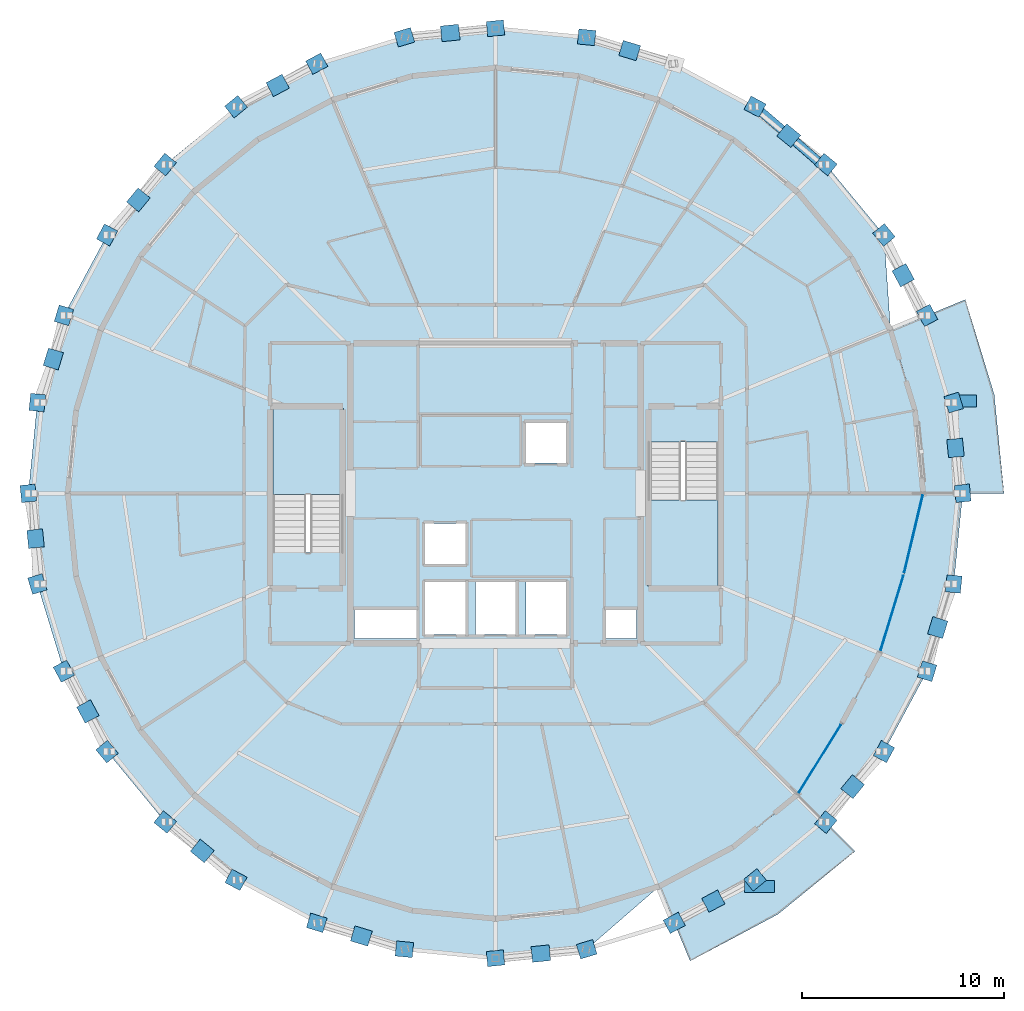
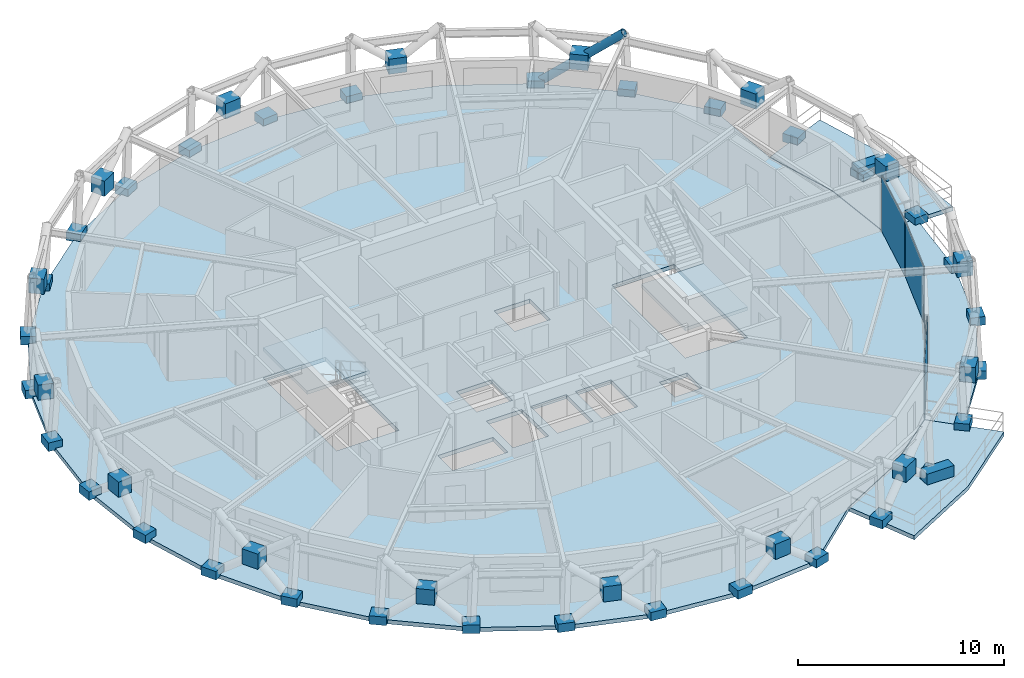
# One storey, part 6 of 12: 52 plates, 6 slabs, 2 members, 4 elements without a shape of their own.
"""IFC4 building model written with IfcOpenShell, lengths in metres."""

from ifc_helpers import new_model, si_unit, direction, frame, origin, origin_2d, place, context, subcontext, project, spatial, polyline, rectangle, hollow_circle, outline, extrude, material, layer, layer_set, material_profile, profile_set, type_object, element, aggregate, save


model = new_model("IFC4")

# Units and contexts
model_context = context("Model", 3, precision=1e-05, world=origin(), true_north=direction((0.0, 1.0)))
body_context = subcontext(model_context, "Body", "Model", "MODEL_VIEW")
ifc_project = project(units=[si_unit("LENGTHUNIT", "METRE"), si_unit("AREAUNIT", "SQUARE_METRE"), si_unit("VOLUMEUNIT", "CUBIC_METRE"), si_unit("PLANEANGLEUNIT", "RADIAN"), si_unit("MASSUNIT", "GRAM", prefix="KILO")], contexts=[model_context])

# Site, building, storey
site_placement = place(None, origin())
site = spatial("IfcSite", under=ifc_project, at=site_placement, CompositionType="ELEMENT")
building_placement = place(site_placement, origin())
building = spatial("IfcBuilding", under=site, at=building_placement, Name="Veldorina Hangang Commons", CompositionType="ELEMENT")
storey_placement = place(building_placement, frame((0.0, 0.0, 247.199951171875)))
storey = spatial("IfcBuildingStorey", under=building, at=storey_placement, Name="L64", CompositionType="ELEMENT", Elevation=247.199951171875)

# Members
ifc_material_1 = material(Name="Steel SM355-TMC", Category="steel")
ifc_material_profile = material_profile(ifc_material_1, hollow_circle(Radius=0.22509765625, WallThickness=0.02197265625, at=origin_2d()), Name="CHS-450x22")
ifc_profile_set = profile_set([ifc_material_profile], Name="Steel SM355-TMC")
member_type = type_object("IfcMemberType", Name="DG-CHS450", PredefinedType="BRACE", material=ifc_profile_set)
member_1_placement = place(storey_placement, frame((44.8779296875, 43.181884765625, 0.0), z_axis=(0.587154549938, -0.503373232483, 0.633928168886), x_axis=(0.65086434607, 0.759194048326, 0.0)))
element("IfcMember", 1, at=member_1_placement, inside=storey, type_object=member_type, Name="L64 split perimeter diagrid lower brace 05", PredefinedType="BRACE", context=body_context, shape_type="SweptSolid", body=[
    extrude(hollow_circle(Radius=0.22509765625, WallThickness=0.02197265625, at=origin_2d()), origin(), (0.0, 0.0, 1.0), 2.849853515625),
])
member_2_placement = place(storey_placement, frame((46.55126953125, 41.747314453125, 1.806640625), z_axis=(0.58141479457, -0.510053851396, 0.633878462587), x_axis=(0.659467683912, 0.751732913923, 0.0)))
element("IfcMember", 2, at=member_2_placement, inside=storey, type_object=member_type, Name="L64 split perimeter diagrid upper brace 05", PredefinedType="BRACE", context=body_context, shape_type="SweptSolid", body=[
    extrude(hollow_circle(Radius=0.22509765625, WallThickness=0.02197265625, at=origin_2d()), origin(), (0.0, 0.0, 1.0), 2.829345703125),
])

# Curtain wall, plate
ifc_material_2 = material(Name="Glass Low-E Selective", Category="glass")
ifc_layer_1 = layer(ifc_material_2, 0.179931640625)
ifc_layer_set_1 = layer_set([ifc_layer_1], Name="Glass Low-E Selective")
curtain_wall_type = type_object("IfcCurtainWallType", Name="CW-SYS-Z3", PredefinedType="NOTDEFINED", material=ifc_layer_set_1)
curtain_wall_1_placement = place(storey_placement, origin())
curtain_wall_1 = element("IfcCurtainWall", 3, at=curtain_wall_1_placement, inside=storey, type_object=curtain_wall_type, Name="L64 unitised curtain wall CW-L64-R1", PredefinedType="NOTDEFINED")
ifc_material_3 = material(Name="Glass Low-E Triple IGU", Category="glass")
ifc_layer_2 = layer(ifc_material_3, 0.0400390625)
ifc_layer_set_2 = layer_set([ifc_layer_2], Name="Glass Low-E Triple IGU")
plate_type_1 = type_object("IfcPlateType", Name="CW-PNL-VIS", PredefinedType="CURTAIN_PANEL", material=ifc_layer_set_2)
plate_1_placement = place(storey_placement, frame((48.09130859375, 10.828125, 0.01513671875), z_axis=(0.0, 0.0, 1.0), x_axis=(0.526436527308, 0.850214433373, 0.0)))
plate_1 = element("IfcPlate", 4, at=plate_1_placement, type_object=plate_type_1, Name="CW-L64-R1 facet 1 glazed vision panel", PredefinedType="CURTAIN_PANEL", context=body_context, shape_type="SweptSolid", body=[
    extrude(rectangle(XDim=3.948486328125, YDim=0.0400390625, at=origin_2d()), origin(), (0.0, 0.0, 1.0), 3.2900390625),
])
aggregate(curtain_wall_1, [plate_1])

# Curtain wall, plates
curtain_wall_2_placement = place(storey_placement, origin())
curtain_wall_2 = element("IfcCurtainWall", 5, at=curtain_wall_2_placement, inside=storey, type_object=curtain_wall_type, Name="L64 unitised curtain wall CW-L64-R2", PredefinedType="NOTDEFINED")
plate_2_placement = place(storey_placement, frame((51.675048828125, 18.0634765625, 0.01513671875), z_axis=(0.0, 0.0, 1.0), x_axis=(0.291687312593, 0.956513727906, 0.0)))
plate_2 = element("IfcPlate", 6, at=plate_2_placement, type_object=plate_type_1, Name="CW-L64-R2 facet 1 glazed vision panel", PredefinedType="CURTAIN_PANEL", context=body_context, shape_type="SweptSolid", body=[
    extrude(rectangle(XDim=3.850341796875, YDim=0.0400390625, at=origin_2d()), origin(), (0.0, 0.0, 1.0), 3.2900390625),
])
plate_3_placement = place(storey_placement, frame((52.7412109375, 21.99560546875, 0.01513671875), z_axis=(0.0, 0.0, 1.0), x_axis=(0.232189311309, 0.972670614193, 0.0)))
plate_3 = element("IfcPlate", 7, at=plate_3_placement, type_object=plate_type_1, Name="CW-L64-R2 facet 2 glazed vision panel", PredefinedType="CURTAIN_PANEL", context=body_context, shape_type="SweptSolid", body=[
    extrude(rectangle(XDim=3.941650390625, YDim=0.0400390625, at=origin_2d()), origin(), (0.0, 0.0, 1.0), 3.2900390625),
])
aggregate(curtain_wall_2, [plate_2, plate_3])

# Plates
ifc_material_4 = material(Name="Steel SM460-TMC", Category="steel")
ifc_layer_3 = layer(ifc_material_4, 0.035888671875)
ifc_layer_set_3 = layer_set([ifc_layer_3], Name="Steel SM460-TMC")
plate_type_2 = type_object("IfcPlateType", Name="PL-STAR-36", PredefinedType="USERDEFINED", material=ifc_layer_set_3)
plate_4_placement = place(storey_placement, frame((55.1796875, 24.0, -0.08984375), z_axis=(0.0, 0.0, 1.0), x_axis=(-0.098486099183, 0.995138426686, 0.0)))
element("IfcPlate", 8, at=plate_4_placement, inside=storey, type_object=plate_type_2, Name="L64 diagrid star-node gusset plate 00", ObjectType="GUSSET PLATE", PredefinedType="USERDEFINED", context=body_context, shape_type="SweptSolid", body=[
    extrude(rectangle(XDim=0.85009765625, YDim=0.75, at=origin_2d()), origin(), (0.0, 0.0, 1.0), 0.5),
])
plate_5_placement = place(storey_placement, frame((54.822265625, 26.25, 1.3505859375), z_axis=(0.0, 0.0, 1.0), x_axis=(-0.098486099183, 0.995138426686, 0.0)))
element("IfcPlate", 9, at=plate_5_placement, inside=storey, type_object=plate_type_2, Name="L64 diagrid X-crossing star-node gusset plate 00", ObjectType="GUSSET PLATE", PredefinedType="USERDEFINED", context=body_context, shape_type="SweptSolid", body=[
    extrude(rectangle(XDim=0.89990234375, YDim=0.780029296875, at=origin_2d()), origin(), (0.0, 0.0, 1.0), 0.89990234375),
])
for number, where, z_axis, x_axis, name in (
    (10, (54.734375, 28.500732421875, -0.08984375), (0.0, 0.0, 1.0), (-0.291553755239, 0.956554445814, 0.0), "L64 diagrid star-node gusset plate 01"),
    (11, (53.415283203125, 32.828369140625, -0.08984375), (0.0, 0.0, 1.0), (-0.47313516348, 0.880989850724, 0.0), "L64 diagrid star-node gusset plate 02"),
):
    element("IfcPlate", number, at=place(storey_placement, frame(where, z_axis=z_axis, x_axis=x_axis)), inside=storey, type_object=plate_type_2, Name=name, ObjectType="GUSSET PLATE", PredefinedType="USERDEFINED", context=body_context, shape_type="SweptSolid", body=[
        extrude(rectangle(XDim=0.85009765625, YDim=0.75, at=origin_2d()), origin(), (0.0, 0.0, 1.0), 0.5),
    ])
plate_6_placement = place(storey_placement, frame((52.228271484375, 34.822265625, 1.352783203125), z_axis=(0.0, 0.0, 1.0), x_axis=(-0.47313516348, 0.880989850724, 0.0)))
element("IfcPlate", 12, at=plate_6_placement, inside=storey, type_object=plate_type_2, Name="L64 diagrid X-crossing star-node gusset plate 02", ObjectType="GUSSET PLATE", PredefinedType="USERDEFINED", context=body_context, shape_type="SweptSolid", body=[
    extrude(rectangle(XDim=0.89990234375, YDim=0.780029296875, at=origin_2d()), origin(), (0.0, 0.0, 1.0), 0.89990234375),
])
for number, where, z_axis, x_axis, name in (
    (13, (51.273193359375, 36.81689453125, -0.08984375), (0.0, 0.0, 1.0), (-0.636199418936, 0.771524658935, 0.0), "L64 diagrid star-node gusset plate 03"),
    (14, (48.390625, 40.312744140625, -0.08984375), (0.0, 0.0, 1.0), (-0.774480978863, 0.632597196785, 0.0), "L64 diagrid star-node gusset plate 04"),
):
    element("IfcPlate", number, at=place(storey_placement, frame(where, z_axis=z_axis, x_axis=x_axis)), inside=storey, type_object=plate_type_2, Name=name, ObjectType="GUSSET PLATE", PredefinedType="USERDEFINED", context=body_context, shape_type="SweptSolid", body=[
        extrude(rectangle(XDim=0.85009765625, YDim=0.75, at=origin_2d()), origin(), (0.0, 0.0, 1.0), 0.5),
    ])
plate_7_placement = place(storey_placement, frame((46.55126953125, 41.747314453125, 1.356689453125), z_axis=(0.0, 0.0, 1.0), x_axis=(-0.774480978863, 0.632597196785, 0.0)))
element("IfcPlate", 15, at=plate_7_placement, inside=storey, type_object=plate_type_2, Name="L64 diagrid X-crossing star-node gusset plate 04", ObjectType="GUSSET PLATE", PredefinedType="USERDEFINED", context=body_context, shape_type="SweptSolid", body=[
    extrude(rectangle(XDim=0.89990234375, YDim=0.780029296875, at=origin_2d()), origin(), (0.0, 0.0, 1.0), 0.89990234375),
])
plate_8_placement = place(storey_placement, frame((44.8779296875, 43.181884765625, -0.08984375), z_axis=(0.0, 0.0, 1.0), x_axis=(-0.882857444518, 0.469641067902, 0.0)))
element("IfcPlate", 16, at=plate_8_placement, inside=storey, type_object=plate_type_2, Name="L64 diagrid star-node gusset plate 05", ObjectType="GUSSET PLATE", PredefinedType="USERDEFINED", context=body_context, shape_type="SweptSolid", body=[
    extrude(rectangle(XDim=0.85009765625, YDim=0.75, at=origin_2d()), origin(), (0.0, 0.0, 1.0), 0.5),
])
plate_9_placement = place(storey_placement, frame((38.657470703125, 45.9677734375, 1.360107421875), z_axis=(0.0, 0.0, 1.0), x_axis=(-0.957319497532, 0.289031796944, 0.0)))
element("IfcPlate", 17, at=plate_9_placement, inside=storey, type_object=plate_type_2, Name="L64 diagrid X-crossing star-node gusset plate 06", ObjectType="GUSSET PLATE", PredefinedType="USERDEFINED", context=body_context, shape_type="SweptSolid", body=[
    extrude(rectangle(XDim=0.89990234375, YDim=0.780029296875, at=origin_2d()), origin(), (0.0, 0.0, 1.0), 0.89990234375),
])
for number, where, z_axis, x_axis, name in (
    (18, (36.522216796875, 46.62646484375, -0.08984375), (0.0, 0.0, 1.0), (-0.995229102973, 0.097565529749, 0.0), "L64 diagrid star-node gusset plate 07"),
    (19, (32.0, 47.069580078125, -0.08984375), (0.0, 0.0, 1.0), (-0.995229102973, -0.097565529749, 0.0), "L64 diagrid star-node gusset plate 08"),
):
    element("IfcPlate", number, at=place(storey_placement, frame(where, z_axis=z_axis, x_axis=x_axis)), inside=storey, type_object=plate_type_2, Name=name, ObjectType="GUSSET PLATE", PredefinedType="USERDEFINED", context=body_context, shape_type="SweptSolid", body=[
        extrude(rectangle(XDim=0.85009765625, YDim=0.75, at=origin_2d()), origin(), (0.0, 0.0, 1.0), 0.5),
    ])
plate_10_placement = place(storey_placement, frame((29.75244140625, 46.8408203125, 1.360595703125), z_axis=(0.0, 0.0, 1.0), x_axis=(-0.995229102973, -0.097565529749, 0.0)))
element("IfcPlate", 20, at=plate_10_placement, inside=storey, type_object=plate_type_2, Name="L64 diagrid X-crossing star-node gusset plate 08", ObjectType="GUSSET PLATE", PredefinedType="USERDEFINED", context=body_context, shape_type="SweptSolid", body=[
    extrude(rectangle(XDim=0.89990234375, YDim=0.780029296875, at=origin_2d()), origin(), (0.0, 0.0, 1.0), 0.89990234375),
])
for number, where, z_axis, x_axis, name in (
    (21, (27.477783203125, 46.62646484375, -0.08984375), (0.0, 0.0, 1.0), (-0.957319497532, -0.289031796944, 0.0), "L64 diagrid star-node gusset plate 09"),
    (22, (23.12939453125, 45.313720703125, -0.08984375), (0.0, 0.0, 1.0), (-0.882857444518, -0.469641067902, 0.0), "L64 diagrid star-node gusset plate 10"),
):
    element("IfcPlate", number, at=place(storey_placement, frame(where, z_axis=z_axis, x_axis=x_axis)), inside=storey, type_object=plate_type_2, Name=name, ObjectType="GUSSET PLATE", PredefinedType="USERDEFINED", context=body_context, shape_type="SweptSolid", body=[
        extrude(rectangle(XDim=0.85009765625, YDim=0.75, at=origin_2d()), origin(), (0.0, 0.0, 1.0), 0.5),
    ])
plate_11_placement = place(storey_placement, frame((21.193115234375, 44.237548828125, 1.3583984375), z_axis=(0.0, 0.0, 1.0), x_axis=(-0.882857444518, -0.469641067902, 0.0)))
element("IfcPlate", 23, at=plate_11_placement, inside=storey, type_object=plate_type_2, Name="L64 diagrid X-crossing star-node gusset plate 10", ObjectType="GUSSET PLATE", PredefinedType="USERDEFINED", context=body_context, shape_type="SweptSolid", body=[
    extrude(rectangle(XDim=0.89990234375, YDim=0.780029296875, at=origin_2d()), origin(), (0.0, 0.0, 1.0), 0.89990234375),
])
for number, where, z_axis, x_axis, name in (
    (24, (19.1220703125, 43.181884765625, -0.08984375), (0.0, 0.0, 1.0), (-0.774480978863, -0.632597196785, 0.0), "L64 diagrid star-node gusset plate 11"),
    (25, (15.609375, 40.312744140625, -0.08984375), (0.0, 0.0, 1.0), (-0.636199418936, -0.771524658935, 0.0), "L64 diagrid star-node gusset plate 12"),
):
    element("IfcPlate", number, at=place(storey_placement, frame(where, z_axis=z_axis, x_axis=x_axis)), inside=storey, type_object=plate_type_2, Name=name, ObjectType="GUSSET PLATE", PredefinedType="USERDEFINED", context=body_context, shape_type="SweptSolid", body=[
        extrude(rectangle(XDim=0.85009765625, YDim=0.75, at=origin_2d()), origin(), (0.0, 0.0, 1.0), 0.5),
    ])
plate_12_placement = place(storey_placement, frame((14.27880859375, 38.556884765625, 1.354736328125), z_axis=(0.0, 0.0, 1.0), x_axis=(-0.636199418936, -0.771524658935, 0.0)))
element("IfcPlate", 26, at=plate_12_placement, inside=storey, type_object=plate_type_2, Name="L64 diagrid X-crossing star-node gusset plate 12", ObjectType="GUSSET PLATE", PredefinedType="USERDEFINED", context=body_context, shape_type="SweptSolid", body=[
    extrude(rectangle(XDim=0.89990234375, YDim=0.780029296875, at=origin_2d()), origin(), (0.0, 0.0, 1.0), 0.89990234375),
])
for number, where, z_axis, x_axis, name in (
    (27, (12.726806640625, 36.81689453125, -0.08984375), (0.0, 0.0, 1.0), (-0.47313516348, -0.880989850724, 0.0), "L64 diagrid star-node gusset plate 13"),
    (28, (10.584716796875, 32.828369140625, -0.08984375), (0.0, 0.0, 1.0), (-0.291553755239, -0.956554445814, 0.0), "L64 diagrid star-node gusset plate 14"),
):
    element("IfcPlate", number, at=place(storey_placement, frame(where, z_axis=z_axis, x_axis=x_axis)), inside=storey, type_object=plate_type_2, Name=name, ObjectType="GUSSET PLATE", PredefinedType="USERDEFINED", context=body_context, shape_type="SweptSolid", body=[
        extrude(rectangle(XDim=0.85009765625, YDim=0.75, at=origin_2d()), origin(), (0.0, 0.0, 1.0), 0.5),
    ])
plate_13_placement = place(storey_placement, frame((10.059326171875, 30.661865234375, 1.351318359375), z_axis=(0.0, 0.0, 1.0), x_axis=(-0.291553755239, -0.956554445814, 0.0)))
element("IfcPlate", 29, at=plate_13_placement, inside=storey, type_object=plate_type_2, Name="L64 diagrid X-crossing star-node gusset plate 14", ObjectType="GUSSET PLATE", PredefinedType="USERDEFINED", context=body_context, shape_type="SweptSolid", body=[
    extrude(rectangle(XDim=0.89990234375, YDim=0.780029296875, at=origin_2d()), origin(), (0.0, 0.0, 1.0), 0.89990234375),
])
for number, where, z_axis, x_axis, name in (
    (30, (9.265625, 28.500732421875, -0.08984375), (0.0, 0.0, 1.0), (-0.098486099183, -0.995138426686, 0.0), "L64 diagrid star-node gusset plate 15"),
    (31, (8.8203125, 24.0, -0.08984375), (0.0, 0.0, 1.0), (0.098486099183, -0.995138426686, 0.0), "L64 diagrid star-node gusset plate 16"),
):
    element("IfcPlate", number, at=place(storey_placement, frame(where, z_axis=z_axis, x_axis=x_axis)), inside=storey, type_object=plate_type_2, Name=name, ObjectType="GUSSET PLATE", PredefinedType="USERDEFINED", context=body_context, shape_type="SweptSolid", body=[
        extrude(rectangle(XDim=0.85009765625, YDim=0.75, at=origin_2d()), origin(), (0.0, 0.0, 1.0), 0.5),
    ])
plate_14_placement = place(storey_placement, frame((9.177734375, 21.75, 1.3505859375), z_axis=(0.0, 0.0, 1.0), x_axis=(0.098486099183, -0.995138426686, 0.0)))
element("IfcPlate", 32, at=plate_14_placement, inside=storey, type_object=plate_type_2, Name="L64 diagrid X-crossing star-node gusset plate 16", ObjectType="GUSSET PLATE", PredefinedType="USERDEFINED", context=body_context, shape_type="SweptSolid", body=[
    extrude(rectangle(XDim=0.89990234375, YDim=0.780029296875, at=origin_2d()), origin(), (0.0, 0.0, 1.0), 0.89990234375),
])
for number, where, z_axis, x_axis, name in (
    (33, (9.265625, 19.499267578125, -0.08984375), (0.0, 0.0, 1.0), (0.291553755239, -0.956554445814, 0.0), "L64 diagrid star-node gusset plate 17"),
    (34, (10.584716796875, 15.171630859375, -0.08984375), (0.0, 0.0, 1.0), (0.47313516348, -0.880989850724, 0.0), "L64 diagrid star-node gusset plate 18"),
):
    element("IfcPlate", number, at=place(storey_placement, frame(where, z_axis=z_axis, x_axis=x_axis)), inside=storey, type_object=plate_type_2, Name=name, ObjectType="GUSSET PLATE", PredefinedType="USERDEFINED", context=body_context, shape_type="SweptSolid", body=[
        extrude(rectangle(XDim=0.85009765625, YDim=0.75, at=origin_2d()), origin(), (0.0, 0.0, 1.0), 0.5),
    ])
plate_15_placement = place(storey_placement, frame((11.771728515625, 13.177734375, 1.352783203125), z_axis=(0.0, 0.0, 1.0), x_axis=(0.47313516348, -0.880989850724, 0.0)))
element("IfcPlate", 35, at=plate_15_placement, inside=storey, type_object=plate_type_2, Name="L64 diagrid X-crossing star-node gusset plate 18", ObjectType="GUSSET PLATE", PredefinedType="USERDEFINED", context=body_context, shape_type="SweptSolid", body=[
    extrude(rectangle(XDim=0.89990234375, YDim=0.780029296875, at=origin_2d()), origin(), (0.0, 0.0, 1.0), 0.89990234375),
])
for number, where, z_axis, x_axis, name in (
    (36, (12.726806640625, 11.18310546875, -0.08984375), (0.0, 0.0, 1.0), (0.636199418936, -0.771524658935, 0.0), "L64 diagrid star-node gusset plate 19"),
    (37, (15.609375, 7.687255859375, -0.08984375), (0.0, 0.0, 1.0), (0.774480978863, -0.632597196785, 0.0), "L64 diagrid star-node gusset plate 20"),
):
    element("IfcPlate", number, at=place(storey_placement, frame(where, z_axis=z_axis, x_axis=x_axis)), inside=storey, type_object=plate_type_2, Name=name, ObjectType="GUSSET PLATE", PredefinedType="USERDEFINED", context=body_context, shape_type="SweptSolid", body=[
        extrude(rectangle(XDim=0.85009765625, YDim=0.75, at=origin_2d()), origin(), (0.0, 0.0, 1.0), 0.5),
    ])
plate_16_placement = place(storey_placement, frame((17.44873046875, 6.252685546875, 1.356689453125), z_axis=(0.0, 0.0, 1.0), x_axis=(0.774480978863, -0.632597196785, 0.0)))
element("IfcPlate", 38, at=plate_16_placement, inside=storey, type_object=plate_type_2, Name="L64 diagrid X-crossing star-node gusset plate 20", ObjectType="GUSSET PLATE", PredefinedType="USERDEFINED", context=body_context, shape_type="SweptSolid", body=[
    extrude(rectangle(XDim=0.89990234375, YDim=0.780029296875, at=origin_2d()), origin(), (0.0, 0.0, 1.0), 0.89990234375),
])
for number, where, z_axis, x_axis, name in (
    (39, (19.1220703125, 4.818115234375, -0.08984375), (0.0, 0.0, 1.0), (0.882857444518, -0.469641067902, 0.0), "L64 diagrid star-node gusset plate 21"),
    (40, (23.12939453125, 2.686279296875, -0.08984375), (0.0, 0.0, 1.0), (0.957319497532, -0.289031796944, 0.0), "L64 diagrid star-node gusset plate 22"),
):
    element("IfcPlate", number, at=place(storey_placement, frame(where, z_axis=z_axis, x_axis=x_axis)), inside=storey, type_object=plate_type_2, Name=name, ObjectType="GUSSET PLATE", PredefinedType="USERDEFINED", context=body_context, shape_type="SweptSolid", body=[
        extrude(rectangle(XDim=0.85009765625, YDim=0.75, at=origin_2d()), origin(), (0.0, 0.0, 1.0), 0.5),
    ])
plate_17_placement = place(storey_placement, frame((25.342529296875, 2.0322265625, 1.360107421875), z_axis=(0.0, 0.0, 1.0), x_axis=(0.957319497532, -0.289031796944, 0.0)))
element("IfcPlate", 41, at=plate_17_placement, inside=storey, type_object=plate_type_2, Name="L64 diagrid X-crossing star-node gusset plate 22", ObjectType="GUSSET PLATE", PredefinedType="USERDEFINED", context=body_context, shape_type="SweptSolid", body=[
    extrude(rectangle(XDim=0.89990234375, YDim=0.780029296875, at=origin_2d()), origin(), (0.0, 0.0, 1.0), 0.89990234375),
])
for number, where, z_axis, x_axis, name in (
    (42, (27.477783203125, 1.37353515625, -0.08984375), (0.0, 0.0, 1.0), (0.995229102973, -0.097565529749, 0.0), "L64 diagrid star-node gusset plate 23"),
    (43, (32.0, 0.930419921875, -0.08984375), (0.0, 0.0, 1.0), (0.995229102973, 0.097565529749, 0.0), "L64 diagrid star-node gusset plate 24"),
):
    element("IfcPlate", number, at=place(storey_placement, frame(where, z_axis=z_axis, x_axis=x_axis)), inside=storey, type_object=plate_type_2, Name=name, ObjectType="GUSSET PLATE", PredefinedType="USERDEFINED", context=body_context, shape_type="SweptSolid", body=[
        extrude(rectangle(XDim=0.85009765625, YDim=0.75, at=origin_2d()), origin(), (0.0, 0.0, 1.0), 0.5),
    ])
plate_18_placement = place(storey_placement, frame((34.24755859375, 1.1591796875, 1.360595703125), z_axis=(0.0, 0.0, 1.0), x_axis=(0.995229102973, 0.097565529749, 0.0)))
element("IfcPlate", 44, at=plate_18_placement, inside=storey, type_object=plate_type_2, Name="L64 diagrid X-crossing star-node gusset plate 24", ObjectType="GUSSET PLATE", PredefinedType="USERDEFINED", context=body_context, shape_type="SweptSolid", body=[
    extrude(rectangle(XDim=0.89990234375, YDim=0.780029296875, at=origin_2d()), origin(), (0.0, 0.0, 1.0), 0.89990234375),
])
for number, where, z_axis, x_axis, name in (
    (45, (36.522216796875, 1.37353515625, -0.08984375), (0.0, 0.0, 1.0), (0.957319497532, 0.289031796944, 0.0), "L64 diagrid star-node gusset plate 25"),
    (46, (40.87060546875, 2.686279296875, -0.08984375), (0.0, 0.0, 1.0), (0.882857444518, 0.469641067902, 0.0), "L64 diagrid star-node gusset plate 26"),
):
    element("IfcPlate", number, at=place(storey_placement, frame(where, z_axis=z_axis, x_axis=x_axis)), inside=storey, type_object=plate_type_2, Name=name, ObjectType="GUSSET PLATE", PredefinedType="USERDEFINED", context=body_context, shape_type="SweptSolid", body=[
        extrude(rectangle(XDim=0.85009765625, YDim=0.75, at=origin_2d()), origin(), (0.0, 0.0, 1.0), 0.5),
    ])
plate_19_placement = place(storey_placement, frame((42.806884765625, 3.762451171875, 1.3583984375), z_axis=(0.0, 0.0, 1.0), x_axis=(0.882857444518, 0.469641067902, 0.0)))
element("IfcPlate", 47, at=plate_19_placement, inside=storey, type_object=plate_type_2, Name="L64 diagrid X-crossing star-node gusset plate 26", ObjectType="GUSSET PLATE", PredefinedType="USERDEFINED", context=body_context, shape_type="SweptSolid", body=[
    extrude(rectangle(XDim=0.89990234375, YDim=0.780029296875, at=origin_2d()), origin(), (0.0, 0.0, 1.0), 0.89990234375),
])
for number, where, z_axis, x_axis, name in (
    (48, (44.8779296875, 4.818115234375, -0.08984375), (0.0, 0.0, 1.0), (0.774480978863, 0.632597196785, 0.0), "L64 diagrid star-node gusset plate 27"),
    (49, (48.390625, 7.687255859375, -0.08984375), (0.0, 0.0, 1.0), (0.636199418936, 0.771524658935, 0.0), "L64 diagrid star-node gusset plate 28"),
):
    element("IfcPlate", number, at=place(storey_placement, frame(where, z_axis=z_axis, x_axis=x_axis)), inside=storey, type_object=plate_type_2, Name=name, ObjectType="GUSSET PLATE", PredefinedType="USERDEFINED", context=body_context, shape_type="SweptSolid", body=[
        extrude(rectangle(XDim=0.85009765625, YDim=0.75, at=origin_2d()), origin(), (0.0, 0.0, 1.0), 0.5),
    ])
plate_20_placement = place(storey_placement, frame((49.72119140625, 9.443115234375, 1.354736328125), z_axis=(0.0, 0.0, 1.0), x_axis=(0.636199418936, 0.771524658935, 0.0)))
element("IfcPlate", 50, at=plate_20_placement, inside=storey, type_object=plate_type_2, Name="L64 diagrid X-crossing star-node gusset plate 28", ObjectType="GUSSET PLATE", PredefinedType="USERDEFINED", context=body_context, shape_type="SweptSolid", body=[
    extrude(rectangle(XDim=0.89990234375, YDim=0.780029296875, at=origin_2d()), origin(), (0.0, 0.0, 1.0), 0.89990234375),
])
for number, where, z_axis, x_axis, name in (
    (51, (51.273193359375, 11.18310546875, -0.08984375), (0.0, 0.0, 1.0), (0.47313516348, 0.880989850724, 0.0), "L64 diagrid star-node gusset plate 29"),
    (52, (53.415283203125, 15.171630859375, -0.08984375), (0.0, 0.0, 1.0), (0.291553755239, 0.956554445814, 0.0), "L64 diagrid star-node gusset plate 30"),
):
    element("IfcPlate", number, at=place(storey_placement, frame(where, z_axis=z_axis, x_axis=x_axis)), inside=storey, type_object=plate_type_2, Name=name, ObjectType="GUSSET PLATE", PredefinedType="USERDEFINED", context=body_context, shape_type="SweptSolid", body=[
        extrude(rectangle(XDim=0.85009765625, YDim=0.75, at=origin_2d()), origin(), (0.0, 0.0, 1.0), 0.5),
    ])
plate_21_placement = place(storey_placement, frame((53.940673828125, 17.338134765625, 1.351318359375), z_axis=(0.0, 0.0, 1.0), x_axis=(0.291553755239, 0.956554445814, 0.0)))
element("IfcPlate", 53, at=plate_21_placement, inside=storey, type_object=plate_type_2, Name="L64 diagrid X-crossing star-node gusset plate 30", ObjectType="GUSSET PLATE", PredefinedType="USERDEFINED", context=body_context, shape_type="SweptSolid", body=[
    extrude(rectangle(XDim=0.89990234375, YDim=0.780029296875, at=origin_2d()), origin(), (0.0, 0.0, 1.0), 0.89990234375),
])
plate_22_placement = place(storey_placement, frame((54.734375, 19.499267578125, -0.08984375), z_axis=(0.0, 0.0, 1.0), x_axis=(0.098486099183, 0.995138426686, 0.0)))
element("IfcPlate", 54, at=plate_22_placement, inside=storey, type_object=plate_type_2, Name="L64 diagrid star-node gusset plate 31", ObjectType="GUSSET PLATE", PredefinedType="USERDEFINED", context=body_context, shape_type="SweptSolid", body=[
    extrude(rectangle(XDim=0.85009765625, YDim=0.75, at=origin_2d()), origin(), (0.0, 0.0, 1.0), 0.5),
])
ifc_material_5 = material(Name="Stone Roman Travertine", Category="masonry")
ifc_layer_4 = layer(ifc_material_5, 0.64990234375)
ifc_layer_set_4 = layer_set([ifc_layer_4], Name="Stone Roman Travertine")
plate_type_3 = type_object("IfcPlateType", Name="PLN-TBAL-1800", PredefinedType="USERDEFINED", material=ifc_layer_set_4)
for number, where, z_axis, x_axis, name in (
    (55, (45.098388671875, 4.487060546875, 0.0), (0.0, 0.0, 1.0), (1.0, 0.0, 0.0), "L64 TREE BALCONY PLANTER 1"),
    (56, (55.12353515625, 28.578369140625, 0.0), (0.0, 0.0, 1.0), (1.0, 0.0, 0.0), "L64 TREE BALCONY PLANTER 2"),
):
    element("IfcPlate", number, at=place(storey_placement, frame(where, z_axis=z_axis, x_axis=x_axis)), inside=storey, type_object=plate_type_3, Name=name, ObjectType="PLANTER", PredefinedType="USERDEFINED", context=body_context, shape_type="SweptSolid", body=[
        extrude(rectangle(XDim=1.5, YDim=0.60009765625, at=origin_2d()), origin(), (0.0, 0.0, 1.0), 0.64990234375),
    ])

# Slabs
ifc_material_6 = material(Name="Concrete C40/50", Category="concrete")
ifc_layer_5 = layer(ifc_material_6, 0.239990234375)
ifc_layer_set_5 = layer_set([ifc_layer_5], Name="Concrete C40/50")
slab_type_1 = type_object("IfcSlabType", Name="SL-FLR-240", PredefinedType="FLOOR", material=ifc_layer_set_5)
slab_1_placement = place(storey_placement, frame((0.0, 0.0, -0.239990234375)))
element("IfcSlab", 57, at=slab_1_placement, inside=storey, type_object=slab_type_1, Name="L64 tower structural floor slab", PredefinedType="FLOOR", context=body_context, shape_type="SweptSolid", body=[
    extrude(outline(polyline([(53.2197265625, 24.0), (52.81201171875, 28.118408203125), (51.6044921875, 32.078369140625), (51.273193359375, 36.81689453125), (48.390625, 40.312744140625), (44.8779296875, 43.181884765625), (40.87060546875, 45.313720703125), (36.522216796875, 46.62646484375), (32.0, 47.069580078125), (27.477783203125, 46.62646484375), (23.12939453125, 45.313720703125), (19.1220703125, 43.181884765625), (15.609375, 40.312744140625), (12.726806640625, 36.81689453125), (10.584716796875, 32.828369140625), (9.265625, 28.500732421875), (8.8203125, 24.0), (9.265625, 19.499267578125), (10.584716796875, 15.171630859375), (12.726806640625, 11.18310546875), (15.609375, 7.687255859375), (19.1220703125, 4.818115234375), (23.12939453125, 2.686279296875), (27.477783203125, 1.37353515625), (32.0, 0.930419921875), (36.522216796875, 1.37353515625), (40.12060546875, 4.497314453125), (43.7890625, 6.447998046875), (47.004638671875, 9.0732421875), (49.177978515625, 12.583251953125), (51.087158203125, 16.135986328125), (52.2626953125, 19.990966796875), (53.2197265625, 24.0)]), holes=[polyline([(20.949951171875, 21.05810546875), (20.949951171875, 28.199951171875), (24.449951171875, 28.199951171875), (24.449951171875, 21.05810546875), (20.949951171875, 21.05810546875)]), polyline([(43.050048828125, 26.5419921875), (43.050048828125, 19.39990234375), (39.550048828125, 19.39990234375), (39.550048828125, 26.5419921875), (43.050048828125, 26.5419921875)]), polyline([(33.5, 27.5), (35.5, 27.5), (35.5, 25.5), (33.5, 25.5), (33.5, 27.5)]), polyline([(28.5, 22.5), (30.5, 22.5), (30.5, 20.5), (28.5, 20.5), (28.5, 22.5)]), polyline([(28.5, 19.60009765625), (30.5, 19.60009765625), (30.5, 17.0), (28.5, 17.0), (28.5, 19.60009765625)]), polyline([(31.0, 19.60009765625), (33.0, 19.60009765625), (33.0, 17.0), (31.0, 17.0), (31.0, 19.60009765625)]), polyline([(33.5, 19.60009765625), (35.5, 19.60009765625), (35.5, 17.0), (33.5, 17.0), (33.5, 19.60009765625)]), polyline([(25.0, 18.25), (28.10009765625, 18.25), (28.10009765625, 16.800048828125), (25.0, 16.800048828125), (25.0, 18.25)]), polyline([(37.449951171875, 18.25), (39.0, 18.25), (39.0, 16.800048828125), (37.449951171875, 16.800048828125), (37.449951171875, 18.25)])]), origin(), (0.0, 0.0, 1.0), 0.239990234375),
])
slab_2_placement = place(storey_placement, frame((0.0, 0.0, -0.239990234375)))
element("IfcSlab", 58, at=slab_2_placement, inside=storey, type_object=slab_type_1, Name="L64 sky-garden loggia outdoor slab", PredefinedType="FLOOR", context=body_context, shape_type="SweptSolid", body=[
    extrude(outline(polyline([(55.1796875, 24.0), (54.734375, 19.499267578125), (53.415283203125, 15.171630859375), (51.273193359375, 11.18310546875), (48.390625, 7.687255859375), (47.015380859375, 9.0625), (47.015380859375, 9.062744140625), (47.0166015625, 9.06396484375), (47.017578125, 9.065185546875), (49.19091796875, 12.5751953125), (49.191162109375, 12.576171875), (51.100341796875, 16.12890625), (51.10107421875, 16.130126953125), (51.1015625, 16.131591796875), (52.277099609375, 19.986572265625), (52.27734375, 19.987548828125), (53.234375, 23.99658203125), (53.234619140625, 23.998291015625), (53.23486328125, 23.999755859375), (53.23486328125, 24.0), (55.1796875, 24.0)])), origin(), (0.0, 0.0, 1.0), 0.239990234375),
])
slab_3_placement = place(storey_placement, frame((0.0, 0.0, -0.239990234375)))
element("IfcSlab", 59, at=slab_3_placement, inside=storey, type_object=slab_type_1, Name="L64 planted tree balcony slab 1", PredefinedType="FLOOR", context=body_context, shape_type="SweptSolid", body=[
    extrude(outline(polyline([(43.80029296875, 6.431396484375), (47.018798828125, 9.05908203125), (49.840087890625, 6.23779296875), (46.016845703125, 3.11376953125), (41.655029296875, 0.79248046875), (40.128173828125, 4.478759765625), (43.80029296875, 6.431396484375)])), origin(), (0.0, 0.0, 1.0), 0.239990234375),
])
slab_4_placement = place(storey_placement, frame((0.0, 0.0, -0.239990234375)))
element("IfcSlab", 60, at=slab_4_placement, inside=storey, type_object=slab_type_1, Name="L64 planted tree balcony slab 2", PredefinedType="FLOOR", context=body_context, shape_type="SweptSolid", body=[
    extrude(outline(polyline([(52.831787109375, 28.122314453125), (51.623046875, 32.0859375), (55.309326171875, 33.61279296875), (56.7451171875, 28.900634765625), (57.229736328125, 24.0), (53.23974609375, 24.0), (52.831787109375, 28.122314453125)])), origin(), (0.0, 0.0, 1.0), 0.239990234375),
])

# Stair, slab
stair_type = type_object("IfcStairType", Name="STR-DOG-1650-20R", PredefinedType="HALF_TURN_STAIR", material=ifc_material_6)
stair_1_placement = place(storey_placement, origin())
stair_1 = element("IfcStair", 61, at=stair_1_placement, inside=storey, type_object=stair_type, Name="L64 Exit stair ST-1", PredefinedType="HALF_TURN_STAIR")
ifc_layer_6 = layer(ifc_material_6, 0.199951171875)
ifc_layer_set_6 = layer_set([ifc_layer_6], Name="Concrete C40/50")
slab_type_2 = type_object("IfcSlabType", Name="SL-LND-200", PredefinedType="LANDING", material=ifc_layer_set_6)
slab_5_placement = place(storey_placement, frame((0.0, 0.0, 1.60009765625)))
slab_5 = element("IfcSlab", 62, at=slab_5_placement, type_object=slab_type_2, Name="ST-1 landing 1", PredefinedType="LANDING", context=body_context, shape_type="SweptSolid", body=[
    extrude(outline(polyline([(24.449951171875, 23.929931640625), (24.449951171875, 28.199951171875), (20.949951171875, 28.199951171875), (20.949951171875, 23.929931640625), (24.449951171875, 23.929931640625)])), origin(), (0.0, 0.0, 1.0), 0.199951171875),
])
aggregate(stair_1, [slab_5])

stair_2_placement = place(storey_placement, origin())
stair_2 = element("IfcStair", 63, at=stair_2_placement, inside=storey, type_object=stair_type, Name="L64 Exit stair ST-2", PredefinedType="HALF_TURN_STAIR")
slab_6_placement = place(storey_placement, frame((0.0, 0.0, 1.60009765625)))
slab_6 = element("IfcSlab", 64, at=slab_6_placement, type_object=slab_type_2, Name="ST-2 landing 1", PredefinedType="LANDING", context=body_context, shape_type="SweptSolid", body=[
    extrude(outline(polyline([(39.550048828125, 23.669921875), (39.550048828125, 19.39990234375), (43.050048828125, 19.39990234375), (43.050048828125, 23.669921875), (39.550048828125, 23.669921875)])), origin(), (0.0, 0.0, 1.0), 0.199951171875),
])
aggregate(stair_2, [slab_6])

save(model, "model.ifc")
